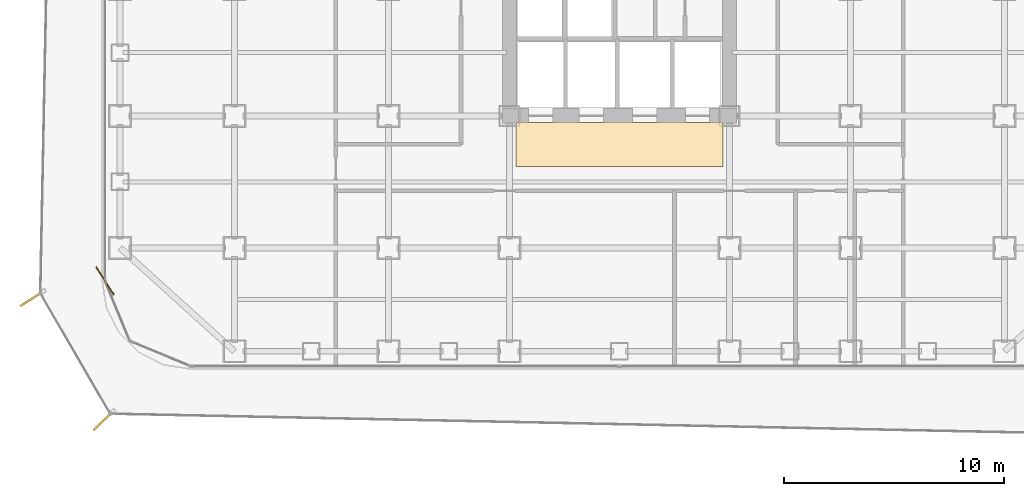
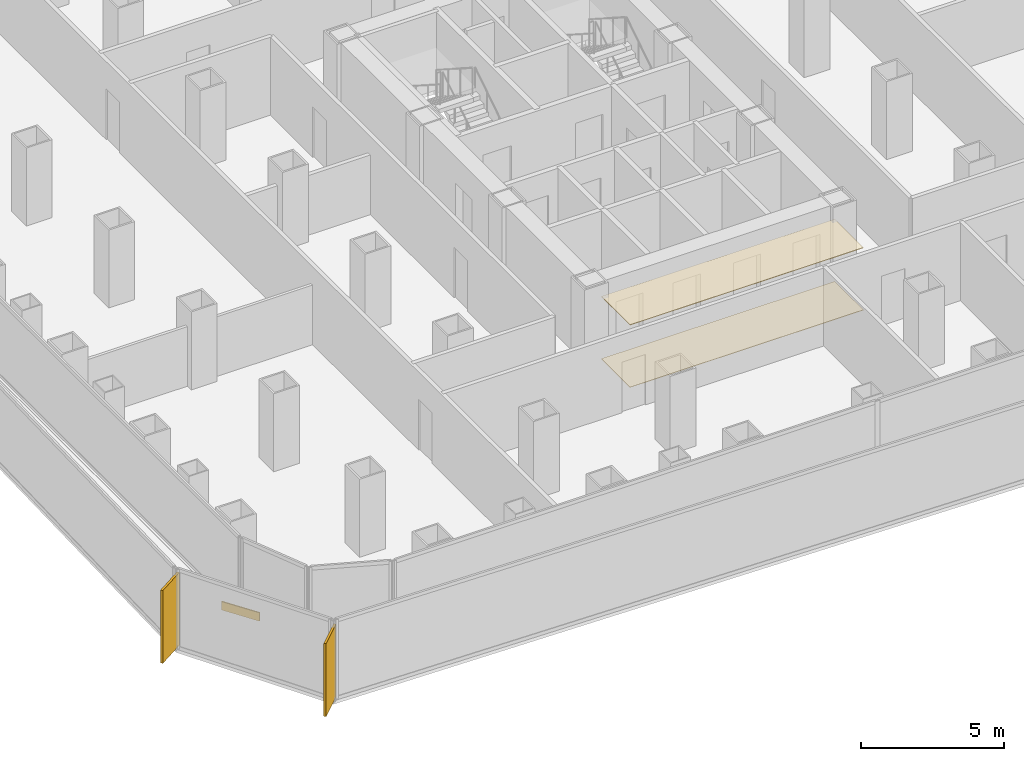
# One storey, part 19 of 21: 3 coverings, 2 shading devices.
"""IFC4 building model written with IfcOpenShell, lengths in metres."""

import ifcopenshell
import ifcopenshell.guid

model = None  # the IFC model being written
_history = None  # IfcOwnerHistory: only IFC2X3 demands one
_inside = {}  # id of a spatial element -> (the spatial element, [elements in it])
_under = {}  # id of a project, library or spatial element -> (it, [spatial elements below it])
_declared = {}  # id of a project -> (the project, [libraries it declares])
_typed = {}  # id of a type object -> (the type object, [elements of that type])
_made_of = {}  # id of a material, layer set ... -> (it, [elements and type objects made of it])


def new_model(schema):
    """Start an empty IFC model of exactly this schema.

    Asked for "IFC4X3", IfcOpenShell would pick the latest addendum, in which some entities
    have other attributes; the version numbers below select the first issue.
    IFC2X3 requires an IfcOwnerHistory on every rooted entity: one is made here for all.
    """
    global model, _history
    if schema == "IFC4X3":
        model = ifcopenshell.file(schema_version=(4, 3, 0, 0))
    else:
        model = ifcopenshell.file(schema=schema)
    _inside.clear()
    _under.clear()
    _declared.clear()
    _typed.clear()
    _made_of.clear()
    _history = None
    if model.schema == "IFC2X3":
        org = make("IfcOrganization", Name="unknown")
        user = make(
            "IfcPersonAndOrganization",
            ThePerson=make("IfcPerson", FamilyName="unknown"),
            TheOrganization=org,
        )
        app = make(
            "IfcApplication",
            ApplicationDeveloper=org,
            Version="unknown",
            ApplicationFullName="unknown",
            ApplicationIdentifier="unknown",
        )
        _history = make(
            "IfcOwnerHistory",
            OwningUser=user,
            OwningApplication=app,
            ChangeAction="ADDED",
            CreationDate=0,
        )
    return model


def make(cls, **values):
    """One entity of the class cls with the attributes given. An attribute that is None is left unset."""
    return model.create_entity(
        cls, **{name: value for name, value in values.items() if value is not None}
    )


def rooted(cls, **values):
    """An entity with a GlobalId (a new one), such as an element, a storey or a relation."""
    return make(cls, GlobalId=ifcopenshell.guid.new(), OwnerHistory=_history, **values)


def si_unit(unit_type, name, prefix=None):
    """IfcSIUnit, for example si_unit("LENGTHUNIT", "METRE", prefix="MILLI")."""
    return make("IfcSIUnit", UnitType=unit_type, Prefix=prefix, Name=name)


def assignment(units):
    """IfcUnitAssignment: the units of a project."""
    return None if units is None else make("IfcUnitAssignment", Units=units)


def point(xyz):
    """IfcCartesianPoint."""
    return None if xyz is None else make("IfcCartesianPoint", Coordinates=xyz)


def direction(xyz):
    """IfcDirection."""
    return None if xyz is None else make("IfcDirection", DirectionRatios=xyz)


def frame(location, z_axis=None, x_axis=None):
    """IfcAxis2Placement3D, a coordinate frame: its origin and axes. An axis left out is left unset."""
    return make(
        "IfcAxis2Placement3D",
        Location=point(location),
        Axis=direction(z_axis),
        RefDirection=direction(x_axis),
    )


def frame_2d(location, x_axis=None):
    """IfcAxis2Placement2D, a coordinate frame in the plane: its origin and x axis."""
    return make(
        "IfcAxis2Placement2D", Location=point(location), RefDirection=direction(x_axis)
    )


def origin():
    """The frame at (0, 0, 0) with its axes left unset."""
    return frame((0.0, 0.0, 0.0))


def origin_2d():
    """The frame at (0, 0) in the plane with its x axis left unset."""
    return frame_2d((0.0, 0.0))


def place(relative_to, where):
    """IfcLocalPlacement: puts the frame where relative to a parent placement (None: the world)."""
    return make(
        "IfcLocalPlacement", PlacementRelTo=relative_to, RelativePlacement=where
    )


def context(
    kind, dimensions, precision=None, world=None, true_north=None, identifier=None
):
    """IfcGeometricRepresentationContext, for example the 3D "Model" context."""
    return make(
        "IfcGeometricRepresentationContext",
        ContextIdentifier=identifier,
        ContextType=kind,
        CoordinateSpaceDimension=dimensions,
        Precision=precision,
        WorldCoordinateSystem=world,
        TrueNorth=true_north,
    )


def subcontext(parent, identifier, kind, view, scale=None):
    """IfcGeometricRepresentationSubContext, for example "Body" below "Model"."""
    return make(
        "IfcGeometricRepresentationSubContext",
        ContextIdentifier=identifier,
        ContextType=kind,
        ParentContext=parent,
        TargetScale=scale,
        TargetView=view,
    )


def project(units=None, contexts=None):
    """IfcProject with its units and contexts."""
    return rooted(
        "IfcProject",
        Name="project",
        RepresentationContexts=contexts,
        UnitsInContext=assignment(units),
    )


def spatial(cls, under=None, at=None, **own):
    """A site, building, storey or space (cls), placed at a placement, below another one or the project."""
    s = rooted(cls, ObjectPlacement=at, **own)
    if under is not None:
        _under.setdefault(under.id(), (under, []))[1].append(s)
    return s


def polyline(points):
    """IfcPolyline through the points."""
    return make("IfcPolyline", Points=[point(p) for p in points])


def profile(cls, at=None, kind="AREA", **sizes):
    """A parametric profile (cls). Its sizes go by their IFC names, for example OverallWidth=200.0."""
    return make(cls, ProfileType=kind, Position=at, **sizes)


def rectangle(**sizes):
    """IfcRectangleProfileDef."""
    return profile("IfcRectangleProfileDef", **sizes)


def outline(outer, holes=None, kind="AREA"):
    """IfcArbitraryClosedProfileDef: a profile drawn as a closed curve; with holes, ...WithVoids."""
    if holes is None:
        return make("IfcArbitraryClosedProfileDef", ProfileType=kind, OuterCurve=outer)
    return make(
        "IfcArbitraryProfileDefWithVoids",
        ProfileType=kind,
        OuterCurve=outer,
        InnerCurves=holes,
    )


def extrude(swept, where, along, depth):
    """IfcExtrudedAreaSolid: the profile swept, set in the frame where, extruded along a direction by depth."""
    return make(
        "IfcExtrudedAreaSolid",
        SweptArea=swept,
        Position=where,
        ExtrudedDirection=direction(along),
        Depth=depth,
    )


def shape(context_of_items, identifier, shape_type, items):
    """IfcShapeRepresentation: the items that make up one representation, for example the "Body"."""
    return make(
        "IfcShapeRepresentation",
        ContextOfItems=context_of_items,
        RepresentationIdentifier=identifier,
        RepresentationType=shape_type,
        Items=items,
    )


def source(mapping_origin, context_of_items, identifier, shape_type, items):
    """IfcRepresentationMap: a shape defined once, which mapped items show again and again."""
    return make(
        "IfcRepresentationMap",
        MappingOrigin=mapping_origin,
        MappedRepresentation=shape(context_of_items, identifier, shape_type, items),
    )


def transform(
    local_origin,
    x_axis=None,
    y_axis=None,
    z_axis=None,
    scale=None,
    scale2=None,
    scale3=None,
    uniform=True,
):
    """IfcCartesianTransformationOperator3D, or its non-uniform kind. x_axis, y_axis, z_axis: its Axis1, 2, 3."""
    if uniform:
        return make(
            "IfcCartesianTransformationOperator3D",
            Axis1=direction(x_axis),
            Axis2=direction(y_axis),
            LocalOrigin=point(local_origin),
            Scale=scale,
            Axis3=direction(z_axis),
        )
    return make(
        "IfcCartesianTransformationOperator3DnonUniform",
        Axis1=direction(x_axis),
        Axis2=direction(y_axis),
        LocalOrigin=point(local_origin),
        Scale=scale,
        Axis3=direction(z_axis),
        Scale2=scale2,
        Scale3=scale3,
    )


def mapped(mapping_source, mapping_target):
    """IfcMappedItem: shows the shape of a source again, moved by a transform."""
    return make(
        "IfcMappedItem", MappingSource=mapping_source, MappingTarget=mapping_target
    )


def material(Name=None, Category=None):
    """IfcMaterial."""
    return make("IfcMaterial", Name=Name, Category=Category)


def layer(
    of_material, thickness, ventilated=None, Name=None, Category=None, Priority=None
):
    """IfcMaterialLayer: one layer of a wall or slab, of a material (None: an air gap)."""
    return make(
        "IfcMaterialLayer",
        Material=of_material,
        LayerThickness=thickness,
        IsVentilated=ventilated,
        Name=Name,
        Category=Category,
        Priority=Priority,
    )


def layer_set(layers, Name=None):
    """IfcMaterialLayerSet."""
    return make("IfcMaterialLayerSet", MaterialLayers=layers, LayerSetName=Name)


def made_of(thing, what):
    """Note that an element or type object is made of a material, layer set ...; save() writes the relation."""
    if what is not None:
        _made_of.setdefault(what.id(), (what, []))[1].append(thing)
    return thing


def type_object(cls, material=None, **own):
    """A type object (cls), such as IfcWallType, which elements share."""
    return made_of(rooted(cls, **own), material)


def element(
    cls,
    number,
    at=None,
    inside=None,
    cuts=None,
    type_object=None,
    material=None,
    context=None,
    identifier="Body",
    shape_type=None,
    held_by="IfcProductDefinitionShape",
    body=None,
    shapes=None,
    **own,
):
    """One element of the class cls, such as IfcWall. Its Tag is "e" and its number.

    at: its placement. inside: the storey or other place that contains it. cuts: it is an
    opening in that element (IfcRelVoidsElement). A single representation is given by context,
    identifier, shape_type and body (its items); several are given by shapes. held_by: the class
    of the entity that holds the representations. save() writes the other relations.
    """
    e = rooted(cls, Tag="e%d" % number, ObjectPlacement=at, **own)
    if body is not None:
        shapes = [shape(context, identifier, shape_type, body)]
    if shapes is not None:
        e.Representation = make(held_by, Representations=shapes)
    if inside is not None:
        _inside.setdefault(inside.id(), (inside, []))[1].append(e)
    if cuts is not None:
        rooted(
            "IfcRelVoidsElement", RelatingBuildingElement=cuts, RelatedOpeningElement=e
        )
    if type_object is not None:
        _typed.setdefault(type_object.id(), (type_object, []))[1].append(e)
    return made_of(e, material)


def aggregate(whole, parts):
    """IfcRelAggregates: a whole, such as a stair, and the parts it consists of."""
    return rooted("IfcRelAggregates", RelatingObject=whole, RelatedObjects=parts)


def save(model, path):
    """Write the relations noted so far, then the file.

    IfcRelAggregates (storeys below a building ...), IfcRelContainedInSpatialStructure (elements
    in a storey), IfcRelDefinesByType, IfcRelAssociatesMaterial and IfcRelDeclares: one each for
    every whole, place, type object, material and project.
    """
    for whole, parts in _under.values():
        aggregate(whole, parts)
    for where, things in _inside.values():
        rooted(
            "IfcRelContainedInSpatialStructure",
            RelatedElements=things,
            RelatingStructure=where,
        )
    for kind, things in _typed.values():
        rooted("IfcRelDefinesByType", RelatedObjects=things, RelatingType=kind)
    for what, things in _made_of.values():
        rooted("IfcRelAssociatesMaterial", RelatedObjects=things, RelatingMaterial=what)
    for by, libraries in _declared.values():
        rooted("IfcRelDeclares", RelatingContext=by, RelatedDefinitions=libraries)
    model.write(path)


model = new_model("IFC4")

# Units and contexts
model_context = context("Model", 3, precision=1e-05, world=origin(), true_north=direction((0.0, 1.0)))
body_context = subcontext(model_context, "Body", "Model", "MODEL_VIEW")
ifc_project = project(units=[si_unit("LENGTHUNIT", "METRE"), si_unit("AREAUNIT", "SQUARE_METRE"), si_unit("VOLUMEUNIT", "CUBIC_METRE"), si_unit("PLANEANGLEUNIT", "RADIAN"), si_unit("MASSUNIT", "GRAM", prefix="KILO")], contexts=[model_context])

# Site, building, storey
site_placement = place(None, origin())
site = spatial("IfcSite", under=ifc_project, at=site_placement, CompositionType="ELEMENT")
building_placement = place(site_placement, origin())
building = spatial("IfcBuilding", under=site, at=building_placement, Name="Kolveth Station Tower", CompositionType="ELEMENT")
storey_placement = place(building_placement, frame((0.0, 0.0, 44.10009765625)))
storey = spatial("IfcBuildingStorey", under=building, at=storey_placement, Name="L11", CompositionType="ELEMENT", Elevation=44.10009765625)

# Coverings
ifc_material_1 = material(Name="Acoustic mineral-fibre ceiling tile")
ifc_layer_1 = layer(ifc_material_1, 0.02490234375)
ifc_layer_set_1 = layer_set([ifc_layer_1], Name="Acoustic mineral-fibre ceiling tile")
covering_type_1 = type_object("IfcCoveringType", Name="Ceil_CL1", PredefinedType="CEILING", material=ifc_layer_set_1)
covering_1_placement = place(storey_placement, frame((0.0, 0.0, 2.64990234375)))
element("IfcCovering", 1, at=covering_1_placement, inside=storey, type_object=covering_type_1, Name="L11 Lift Lobby Suspended Ceiling", PredefinedType="CEILING", context=body_context, shape_type="SweptSolid", body=[
    extrude(outline(polyline([(18.800048828125, 9.199951171875), (28.199951171875, 9.199951171875), (28.199951171875, 11.199951171875), (18.800048828125, 11.199951171875), (18.800048828125, 9.199951171875)])), origin(), (0.0, 0.0, 1.0), 0.02490234375),
])
ifc_material_2 = material(Name="Honed terrazzo flooring")
ifc_layer_2 = layer(ifc_material_2, 0.02001953125)
ifc_layer_set_2 = layer_set([ifc_layer_2], Name="Honed terrazzo flooring")
covering_type_2 = type_object("IfcCoveringType", Name="Floor_FL1", PredefinedType="FLOORING", material=ifc_layer_set_2)
covering_2_placement = place(storey_placement, origin())
element("IfcCovering", 2, at=covering_2_placement, inside=storey, type_object=covering_type_2, Name="L11 Lift Lobby Floor Finish", PredefinedType="FLOORING", context=body_context, shape_type="SweptSolid", body=[
    extrude(outline(polyline([(18.800048828125, 9.199951171875), (28.199951171875, 9.199951171875), (28.199951171875, 11.199951171875), (18.800048828125, 11.199951171875), (18.800048828125, 9.199951171875)])), origin(), (0.0, 0.0, 1.0), 0.02001953125),
])

# Shading devices
ifc_material_3 = material(Name="Black anodized aluminium 6063-T6", Category="aluminium")
shading_device_type = type_object("IfcShadingDeviceType", Name="FIN_VF1", PredefinedType="USERDEFINED", material=ifc_material_3)
shared_shape_1 = source(origin(), body_context, "Body", "SweptSolid", [
    extrude(rectangle(XDim=1.25, YDim=0.090087890625, at=origin_2d()), origin(), (0.0, 0.0, 1.0), 3.10009765625),
])
for number, where, z_axis, x_axis, name in (
    (3, (-3.193115234375, 3.195068359375, -0.000244140625), (0.0, 0.0, 1.0), (-0.84264041216, -0.538476680827, 0.0), "L11 Dark-Aluminium Solar Fin 7"),
    (4, (0.0419921875, -2.35791015625, -0.000244140625), (0.0, 0.0, 1.0), (-0.720066850328, -0.69390469883, 0.0), "L11 Dark-Aluminium Solar Fin 8"),
):
    element("IfcShadingDevice", number, at=place(storey_placement, frame(where, z_axis=z_axis, x_axis=x_axis)), inside=storey, type_object=shading_device_type, Name=name, ObjectType="FIN", PredefinedType="USERDEFINED", context=body_context, shape_type="MappedRepresentation", body=[
        mapped(shared_shape_1, transform((0.0, 0.0, 0.0), x_axis=(1.0, 0.0, 0.0), y_axis=(0.0, 1.0, 0.0), z_axis=(0.0, 0.0, 1.0), scale=1.0)),
    ])

# Covering
ifc_material_4 = material(Name="Charcoal anodized aluminium spandrel cladding", Category="aluminium")
ifc_layer_3 = layer(ifc_material_4, 0.044921875)
ifc_layer_set_3 = layer_set([ifc_layer_3], Name="Charcoal anodized aluminium spandrel cladding")
covering_type_3 = type_object("IfcCoveringType", Name="Clad_CD1", PredefinedType="CLADDING", material=ifc_layer_set_3)
shared_shape_2 = source(origin(), body_context, "Body", "SweptSolid", [
    extrude(rectangle(XDim=1.5, YDim=0.044921875, at=origin_2d()), origin(), (0.0, 0.0, 1.0), 0.360107421875),
])
covering_3_placement = place(storey_placement, frame((0.1201171875, 4.0, 0.0), z_axis=(0.0, 0.0, 1.0), x_axis=(0.538476680827, -0.84264041216, 0.0)))
element("IfcCovering", 5, at=covering_3_placement, inside=storey, type_object=covering_type_3, Name="L11 Spandrel Edge Cladding 7", PredefinedType="CLADDING", context=body_context, shape_type="MappedRepresentation", body=[
    mapped(shared_shape_2, transform((0.0, 0.0, 0.0), x_axis=(1.0, 0.0, 0.0), y_axis=(0.0, 1.0, 0.0), z_axis=(0.0, 0.0, 1.0), scale=1.0)),
])

save(model, "model.ifc")
